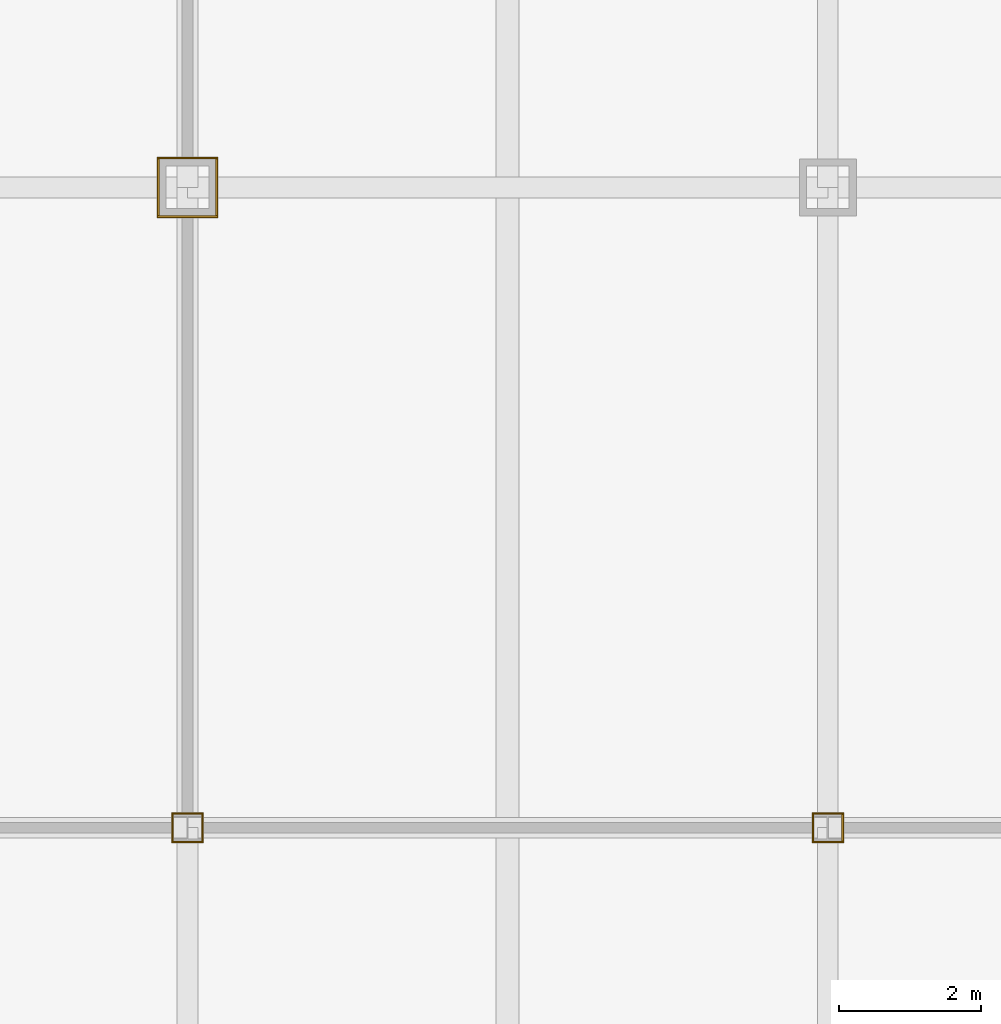
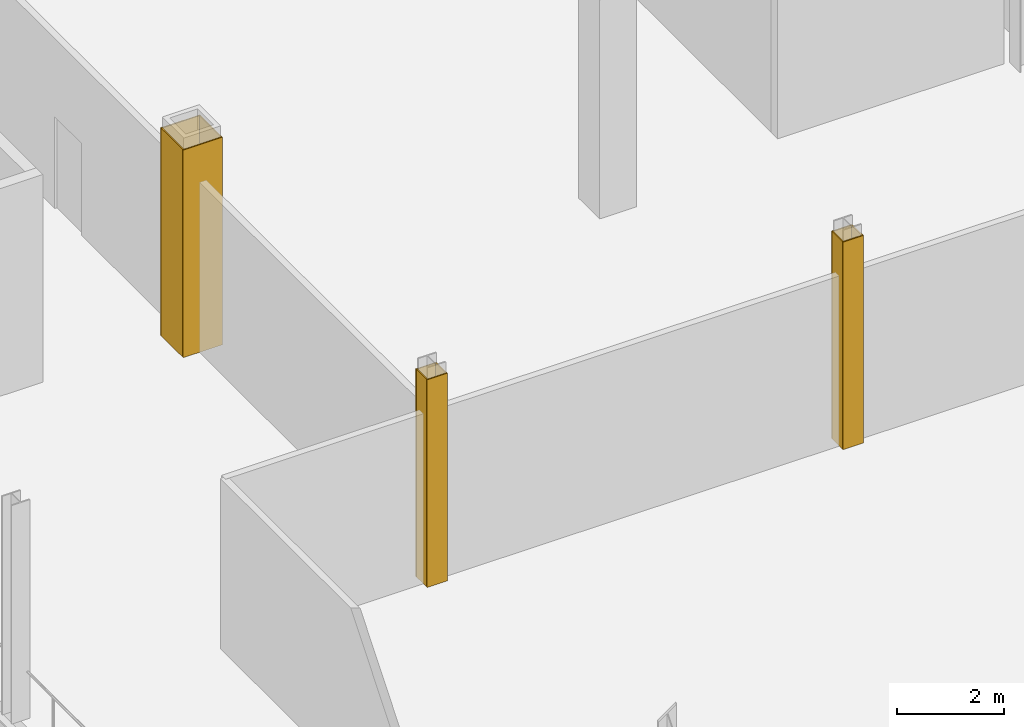
# One storey, part 21 of 28: 12 coverings.
"""IFC4 building model written with IfcOpenShell, lengths in metres."""

from ifc_helpers import new_model, si_unit, direction, frame, origin, origin_2d, place, context, subcontext, project, spatial, rectangle, extrude, material, layer, layer_set, type_object, element, save


model = new_model("IFC4")

# Units and contexts
model_context = context("Model", 3, precision=1e-05, world=origin(), true_north=direction((0.0, 1.0)))
body_context = subcontext(model_context, "Body", "Model", "MODEL_VIEW")
ifc_project = project(units=[si_unit("LENGTHUNIT", "METRE"), si_unit("AREAUNIT", "SQUARE_METRE"), si_unit("VOLUMEUNIT", "CUBIC_METRE"), si_unit("PLANEANGLEUNIT", "RADIAN"), si_unit("MASSUNIT", "GRAM", prefix="KILO")], contexts=[model_context])

# Site, building, storey
site_placement = place(None, origin())
site = spatial("IfcSite", under=ifc_project, at=site_placement, CompositionType="ELEMENT")
building_placement = place(site_placement, origin())
building = spatial("IfcBuilding", under=site, at=building_placement, Name="Loomwork Tower", CompositionType="ELEMENT")
storey_placement = place(building_placement, frame((0.0, 0.0, 6.0)))
storey = spatial("IfcBuildingStorey", under=building, at=storey_placement, Name="L01", CompositionType="ELEMENT", Elevation=6.0)

# Coverings
ifc_material = material(Name="Two-hour fire-rated gypsum board casing")
ifc_layer = layer(ifc_material, 0.02490234375)
ifc_layer_set = layer_set([ifc_layer], Name="Column fire casing 25")
covering_type = type_object("IfcCoveringType", Name="Column fire casing 25", PredefinedType="CLADDING", material=ifc_layer_set)
for number, where, z_axis, x_axis, name in (
    (1, (45.0, -8.799560546875, 0.0), (0.0, 0.0, 1.0), (1.0, 0.0, 0.0), "Column casing 45 -9 L01"),
    (2, (45.0, -9.200439453125, 0.0), (0.0, 0.0, 1.0), (1.0, 0.0, 0.0), "Column casing 45 -9 L01"),
):
    element("IfcCovering", number, at=place(storey_placement, frame(where, z_axis=z_axis, x_axis=x_axis)), inside=storey, type_object=covering_type, Name=name, PredefinedType="CLADDING", context=body_context, shape_type="SweptSolid", body=[
        extrude(rectangle(XDim=0.443603515625, YDim=0.02490234375, at=origin_2d()), origin(), (0.0, 0.0, 1.0), 4.75),
    ])
for number, where, z_axis, x_axis, name in (
    (3, (45.20947265625, -9.0, 0.0), (0.0, 0.0, 1.0), (1.0, 0.0, 0.0), "Column casing 45 -9 L01"),
    (4, (44.79052734375, -9.0, 0.0), (0.0, 0.0, 1.0), (1.0, 0.0, 0.0), "Column casing 45 -9 L01"),
):
    element("IfcCovering", number, at=place(storey_placement, frame(where, z_axis=z_axis, x_axis=x_axis)), inside=storey, type_object=covering_type, Name=name, PredefinedType="CLADDING", context=body_context, shape_type="SweptSolid", body=[
        extrude(rectangle(XDim=0.02490234375, YDim=0.3759765625, at=origin_2d()), origin(), (0.0, 0.0, 1.0), 4.75),
    ])
for number, where, z_axis, x_axis, name in (
    (5, (45.0, 0.41259765625, 0.0), (0.0, 0.0, 1.0), (1.0, 0.0, 0.0), "Column casing 45 0 L01"),
    (6, (45.0, -0.41259765625, 0.0), (0.0, 0.0, 1.0), (1.0, 0.0, 0.0), "Column casing 45 0 L01"),
):
    element("IfcCovering", number, at=place(storey_placement, frame(where, z_axis=z_axis, x_axis=x_axis)), inside=storey, type_object=covering_type, Name=name, PredefinedType="CLADDING", context=body_context, shape_type="SweptSolid", body=[
        extrude(rectangle(XDim=0.85009765625, YDim=0.02490234375, at=origin_2d()), origin(), (0.0, 0.0, 1.0), 4.75),
    ])
for number, where, z_axis, x_axis, name in (
    (7, (45.41259765625, 0.0, 0.0), (0.0, 0.0, 1.0), (1.0, 0.0, 0.0), "Column casing 45 0 L01"),
    (8, (44.58740234375, 0.0, 0.0), (0.0, 0.0, 1.0), (1.0, 0.0, 0.0), "Column casing 45 0 L01"),
):
    element("IfcCovering", number, at=place(storey_placement, frame(where, z_axis=z_axis, x_axis=x_axis)), inside=storey, type_object=covering_type, Name=name, PredefinedType="CLADDING", context=body_context, shape_type="SweptSolid", body=[
        extrude(rectangle(XDim=0.02490234375, YDim=0.800048828125, at=origin_2d()), origin(), (0.0, 0.0, 1.0), 4.75),
    ])
for number, where, z_axis, x_axis, name in (
    (9, (54.0, -8.799560546875, 0.0), (0.0, 0.0, 1.0), (1.0, 0.0, 0.0), "Column casing 54 -9 L01"),
    (10, (54.0, -9.200439453125, 0.0), (0.0, 0.0, 1.0), (1.0, 0.0, 0.0), "Column casing 54 -9 L01"),
):
    element("IfcCovering", number, at=place(storey_placement, frame(where, z_axis=z_axis, x_axis=x_axis)), inside=storey, type_object=covering_type, Name=name, PredefinedType="CLADDING", context=body_context, shape_type="SweptSolid", body=[
        extrude(rectangle(XDim=0.443603515625, YDim=0.02490234375, at=origin_2d()), origin(), (0.0, 0.0, 1.0), 4.75),
    ])
for number, where, z_axis, x_axis, name in (
    (11, (54.20947265625, -9.0, 0.0), (0.0, 0.0, 1.0), (1.0, 0.0, 0.0), "Column casing 54 -9 L01"),
    (12, (53.79052734375, -9.0, 0.0), (0.0, 0.0, 1.0), (1.0, 0.0, 0.0), "Column casing 54 -9 L01"),
):
    element("IfcCovering", number, at=place(storey_placement, frame(where, z_axis=z_axis, x_axis=x_axis)), inside=storey, type_object=covering_type, Name=name, PredefinedType="CLADDING", context=body_context, shape_type="SweptSolid", body=[
        extrude(rectangle(XDim=0.02490234375, YDim=0.3759765625, at=origin_2d()), origin(), (0.0, 0.0, 1.0), 4.75),
    ])

save(model, "model.ifc")
